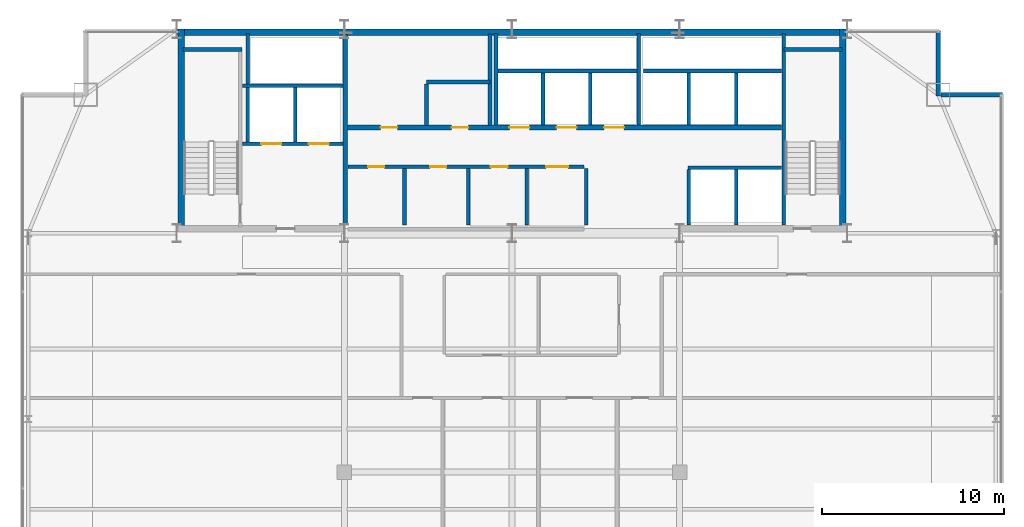
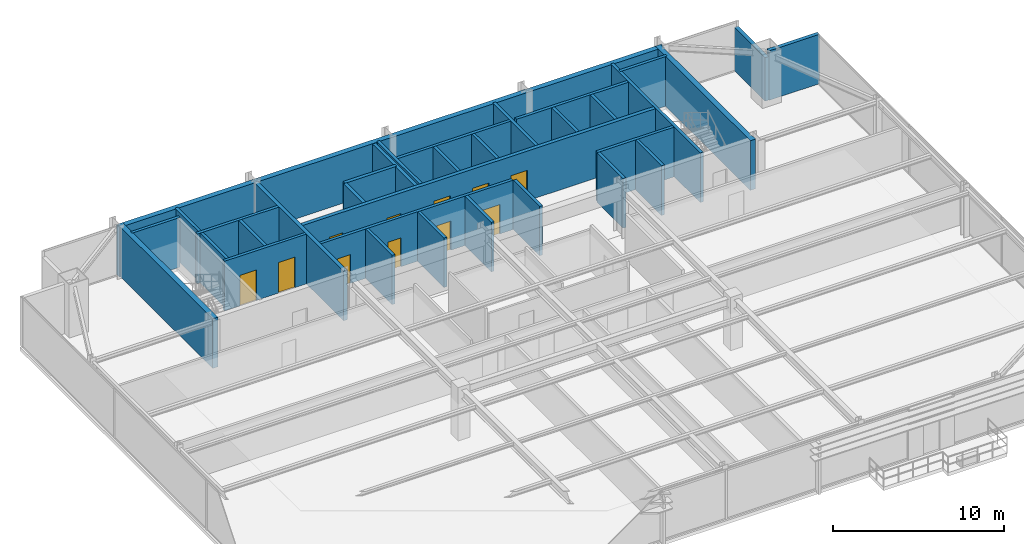
# One storey, part 28 of 31: 33 walls, 11 doors, 11 openings.
"""IFC4 building model written with IfcOpenShell, lengths in metres."""

from ifc_helpers import new_model, si_unit, direction, frame, frame_2d, origin, place, context, subcontext, project, spatial, rectangle, extrude, source, transform, mapped, material, layer, layer_set, type_object, type_shapes, element, fill, save


model = new_model("IFC4")

# Units and contexts
model_context = context("Model", 3, precision=1e-05, world=origin(), true_north=direction((0.0, 1.0)))
body_context = subcontext(model_context, "Body", "Model", "MODEL_VIEW")
ifc_project = project(units=[si_unit("LENGTHUNIT", "METRE"), si_unit("AREAUNIT", "SQUARE_METRE"), si_unit("VOLUMEUNIT", "CUBIC_METRE"), si_unit("PLANEANGLEUNIT", "RADIAN"), si_unit("MASSUNIT", "GRAM", prefix="KILO")], contexts=[model_context])

# Site, building, storey
site_placement = place(None, origin())
site = spatial("IfcSite", under=ifc_project, at=site_placement, CompositionType="ELEMENT")
building_placement = place(site_placement, origin())
building = spatial("IfcBuilding", under=site, at=building_placement, Name="Varnel Quay Broadcast Tower", CompositionType="ELEMENT")
storey_placement = place(building_placement, frame((0.0, 0.0, 157.199951171875)))
storey = spatial("IfcBuildingStorey", under=building, at=storey_placement, Name="L38", CompositionType="ELEMENT", Elevation=157.199951171875)

# Wall
ifc_material_1 = material(Name="Concrete CSA A23.3 C50/60", Category="concrete")
ifc_layer_1 = layer(ifc_material_1, 0.199951171875, Name="Concrete CSA A23.3 C50/60")
ifc_layer_set_1 = layer_set([ifc_layer_1], Name="Concrete CSA A23.3 C50/60")
wall_type_1 = type_object("IfcWallType", Name="Wall_CoreShaftShear200", PredefinedType="SHEAR", material=ifc_layer_set_1)
wall_1_placement = place(storey_placement, frame((15.949951171875, 45.679931640625, 0.0), z_axis=(0.0, 0.0, 1.0), x_axis=(1.0, 0.0, 0.0)))
element("IfcWall", 1, at=wall_1_placement, inside=storey, type_object=wall_type_1, Name="L38 Stair 1 North Structural Wall", PredefinedType="SHEAR", context=body_context, shape_type="SweptSolid", body=[
    extrude(rectangle(XDim=3.22998046875, YDim=0.199951171875, at=frame_2d((1.614990234375, 0.0))), origin(), (0.0, 0.0, 1.0), 3.550048828125),
])

# Wall, openings, doors
wall_2_placement = place(storey_placement, frame((19.199951171875, 40.5, 0.0), z_axis=(0.0, 0.0, 1.0), x_axis=(1.0, 0.0, 0.0)))
wall_2 = element("IfcWall", 2, at=wall_2_placement, inside=storey, type_object=wall_type_1, Name="L38 Firefighter Lift Shaft Front Wall", PredefinedType="SHEAR", context=body_context, shape_type="SweptSolid", body=[
    extrude(rectangle(XDim=5.52001953125, YDim=0.199951171875, at=frame_2d((2.760009765625, 0.0))), origin(), (0.0, 0.0, 1.0), 3.550048828125),
])
opening_1_placement = place(wall_2_placement, frame((1.050048828125, 0.0, 0.0)))
opening_1 = element("IfcOpeningElement", 3, at=opening_1_placement, cuts=wall_2, Name="Opening LD-L38-FE1", PredefinedType="OPENING", context=body_context, shape_type="SweptSolid", body=[
    extrude(rectangle(XDim=1.10009765625, YDim=2.179931640625, at=frame_2d((0.550048828125, 1.08984375))), frame((0.0, 0.10986328125, 0.0), z_axis=(0.0, -1.0, 0.0), x_axis=(1.0, 0.0, 0.0)), (0.0, 0.0, 1.0), 0.219970703125),
])
opening_2_placement = place(wall_2_placement, frame((3.64990234375, 0.0, 0.0)))
opening_2 = element("IfcOpeningElement", 4, at=opening_2_placement, cuts=wall_2, Name="Opening LD-L38-FE2", PredefinedType="OPENING", context=body_context, shape_type="SweptSolid", body=[
    extrude(rectangle(XDim=1.10009765625, YDim=2.179931640625, at=frame_2d((0.550048828125, 1.08984375))), frame((0.0, 0.10986328125, 0.0), z_axis=(0.0, -1.0, 0.0), x_axis=(1.0, 0.0, 0.0)), (0.0, 0.0, 1.0), 0.219970703125),
])
ifc_material_2 = material(Name="Brushed Bronze-Stainless Lift Car & Sliding Doors", Category="steel")
door_type_1 = type_object("IfcDoorType", Name="Door_LiftLanding1100", OperationType="SLIDING_TO_LEFT", PredefinedType="DOOR", material=ifc_material_2)
shared_shape_1 = source(origin(), body_context, "Body", "SweptSolid", [
    extrude(rectangle(XDim=1.10009765625, YDim=2.179931640625, at=frame_2d((0.550048828125, 1.08984375))), frame((0.0, 0.02490234375, 0.0), z_axis=(0.0, -1.0, 0.0), x_axis=(1.0, 0.0, 0.0)), (0.0, 0.0, 1.0), 0.050048828125),
])
type_shapes(door_type_1, [shared_shape_1])
door_1_placement = place(opening_1_placement, frame((1.10009765625, 0.0, 0.0), z_axis=(0.0, 0.0, 1.0), x_axis=(-1.0, 0.0, 0.0)))
door_1 = element("IfcDoor", 5, at=door_1_placement, inside=storey, type_object=door_type_1, Name="L38 Firefighter Lift FE-01 Landing Door", OperationType="SLIDING_TO_LEFT", OverallHeight=2.179931640625, OverallWidth=1.10009765625, PredefinedType="DOOR", context=body_context, shape_type="MappedRepresentation", body=[
    mapped(shared_shape_1, transform((0.0, 0.0, 0.0), x_axis=(1.0, 0.0, 0.0), y_axis=(0.0, 1.0, 0.0), z_axis=(0.0, 0.0, 1.0), scale=1.0)),
])
fill(opening_1, door_1)
door_2_placement = place(opening_2_placement, frame((1.10009765625, 0.0, 0.0), z_axis=(0.0, 0.0, 1.0), x_axis=(-1.0, 0.0, 0.0)))
door_2 = element("IfcDoor", 6, at=door_2_placement, inside=storey, type_object=door_type_1, Name="L38 Firefighter Lift FE-02 Landing Door", OperationType="SLIDING_TO_RIGHT", OverallHeight=2.179931640625, OverallWidth=1.10009765625, PredefinedType="DOOR", context=body_context, shape_type="MappedRepresentation", body=[
    mapped(shared_shape_1, transform((0.0, 0.0, 0.0), x_axis=(1.0, 0.0, 0.0), y_axis=(0.0, 1.0, 0.0), z_axis=(0.0, 0.0, 1.0), scale=1.0)),
])
fill(opening_2, door_2)

# Walls
wall_3_placement = place(storey_placement, frame((19.199951171875, 43.699951171875, 0.0), z_axis=(0.0, 0.0, 1.0), x_axis=(1.0, 0.0, 0.0)))
element("IfcWall", 7, at=wall_3_placement, inside=storey, type_object=wall_type_1, Name="L38 Firefighter Lift Shaft Rear Wall", PredefinedType="SHEAR", context=body_context, shape_type="SweptSolid", body=[
    extrude(rectangle(XDim=5.52001953125, YDim=0.199951171875, at=frame_2d((2.760009765625, 0.0))), origin(), (0.0, 0.0, 1.0), 3.550048828125),
])
wall_4_placement = place(storey_placement, frame((22.10009765625, 40.60009765625, 0.0), z_axis=(0.0, 0.0, 1.0), x_axis=(0.0, 1.0, 0.0)))
element("IfcWall", 8, at=wall_4_placement, inside=storey, type_object=wall_type_1, Name="L38 Firefighter Lift Shaft Divider", PredefinedType="SHEAR", context=body_context, shape_type="SweptSolid", body=[
    extrude(rectangle(XDim=3.0, YDim=0.199951171875, at=frame_2d((1.5, 0.0))), origin(), (0.0, 0.0, 1.0), 3.550048828125),
])
wall_5_placement = place(storey_placement, frame((19.5, 40.60009765625, 0.0), z_axis=(0.0, 0.0, 1.0), x_axis=(0.0, 1.0, 0.0)))
element("IfcWall", 9, at=wall_5_placement, inside=storey, type_object=wall_type_1, Name="L38 Firefighter Lift Shaft West Wall", PredefinedType="SHEAR", context=body_context, shape_type="SweptSolid", body=[
    extrude(rectangle(XDim=5.949951171875, YDim=0.199951171875, at=frame_2d((2.97509765625, 0.0))), origin(), (0.0, 0.0, 1.0), 3.550048828125),
])
wall_6_placement = place(storey_placement, frame((48.919921875, 36.050048828125, 0.0), z_axis=(0.0, 0.0, 1.0), x_axis=(0.0, 1.0, 0.0)))
element("IfcWall", 10, at=wall_6_placement, inside=storey, type_object=wall_type_1, Name="L38 Stair 2 West Structural Wall", PredefinedType="SHEAR", context=body_context, shape_type="SweptSolid", body=[
    extrude(rectangle(XDim=10.5, YDim=0.199951171875, at=frame_2d((5.25, 0.0))), origin(), (0.0, 0.0, 1.0), 3.550048828125),
])
wall_7_placement = place(storey_placement, frame((48.919921875, 45.679931640625, 0.0), z_axis=(0.0, 0.0, 1.0), x_axis=(1.0, 0.0, 0.0)))
element("IfcWall", 11, at=wall_7_placement, inside=storey, type_object=wall_type_1, Name="L38 Stair 2 North Structural Wall", PredefinedType="SHEAR", context=body_context, shape_type="SweptSolid", body=[
    extrude(rectangle(XDim=3.18017578125, YDim=0.199951171875, at=frame_2d((1.590087890625, 0.0))), origin(), (0.0, 0.0, 1.0), 3.550048828125),
])
wall_8_placement = place(storey_placement, frame((33.219970703125, 44.5, 0.0), z_axis=(0.0, 0.0, 1.0), x_axis=(1.0, 0.0, 0.0)))
element("IfcWall", 12, at=wall_8_placement, inside=storey, type_object=wall_type_1, Name="L38 Mid-Rise Lift Shaft Rear Wall", PredefinedType="SHEAR", context=body_context, shape_type="SweptSolid", body=[
    extrude(rectangle(XDim=7.630126953125, YDim=0.199951171875, at=frame_2d((3.81494140625, 0.0))), origin(), (0.0, 0.0, 1.0), 3.550048828125),
])
wall_9_placement = place(storey_placement, frame((33.1201171875, 41.530029296875, 0.0), z_axis=(0.0, 0.0, 1.0), x_axis=(0.0, 1.0, 0.0)))
element("IfcWall", 13, at=wall_9_placement, inside=storey, type_object=wall_type_1, Name="L38 Mid-Rise Lift Shaft Divider 1", PredefinedType="SHEAR", context=body_context, shape_type="SweptSolid", body=[
    extrude(rectangle(XDim=5.02001953125, YDim=0.199951171875, at=frame_2d((2.510009765625, 0.0))), origin(), (0.0, 0.0, 1.0), 3.550048828125),
])
for number, where, z_axis, x_axis, name in (
    (14, (35.699951171875, 41.530029296875, 0.0), (0.0, 0.0, 1.0), (0.0, 1.0, 0.0), "L38 Mid-Rise Lift Shaft Divider 2"),
    (15, (38.300048828125, 41.530029296875, 0.0), (0.0, 0.0, 1.0), (0.0, 1.0, 0.0), "L38 Mid-Rise Lift Shaft Divider 3"),
):
    element("IfcWall", number, at=place(storey_placement, frame(where, z_axis=z_axis, x_axis=x_axis)), inside=storey, type_object=wall_type_1, Name=name, PredefinedType="SHEAR", context=body_context, shape_type="SweptSolid", body=[
        extrude(rectangle(XDim=2.869873046875, YDim=0.199951171875, at=frame_2d((1.43505859375, 0.0))), origin(), (0.0, 0.0, 1.0), 3.550048828125),
    ])
wall_10_placement = place(storey_placement, frame((40.949951171875, 41.530029296875, 0.0), z_axis=(0.0, 0.0, 1.0), x_axis=(0.0, 1.0, 0.0)))
element("IfcWall", 16, at=wall_10_placement, inside=storey, type_object=wall_type_1, Name="L38 Mid-Rise Lift Shaft Divider 4", PredefinedType="SHEAR", context=body_context, shape_type="SweptSolid", body=[
    extrude(rectangle(XDim=5.02001953125, YDim=0.199951171875, at=frame_2d((2.510009765625, 0.0))), origin(), (0.0, 0.0, 1.0), 3.550048828125),
])
wall_11_placement = place(storey_placement, frame((41.219970703125, 44.5, 0.0), z_axis=(0.0, 0.0, 1.0), x_axis=(1.0, 0.0, 0.0)))
element("IfcWall", 17, at=wall_11_placement, inside=storey, type_object=wall_type_1, Name="L38 High-Rise Lift Shaft Rear Wall", PredefinedType="SHEAR", context=body_context, shape_type="SweptSolid", body=[
    extrude(rectangle(XDim=7.580078125, YDim=0.199951171875, at=frame_2d((3.7900390625, 0.0))), origin(), (0.0, 0.0, 1.0), 3.550048828125),
])
for number, where, z_axis, x_axis, name in (
    (18, (43.699951171875, 41.530029296875, 0.0), (0.0, 0.0, 1.0), (0.0, 1.0, 0.0), "L38 High-Rise Lift Shaft Divider 2"),
    (19, (46.300048828125, 41.530029296875, 0.0), (0.0, 0.0, 1.0), (0.0, 1.0, 0.0), "L38 High-Rise Lift Shaft Divider 3"),
):
    element("IfcWall", number, at=place(storey_placement, frame(where, z_axis=z_axis, x_axis=x_axis)), inside=storey, type_object=wall_type_1, Name=name, PredefinedType="SHEAR", context=body_context, shape_type="SweptSolid", body=[
        extrude(rectangle(XDim=2.869873046875, YDim=0.199951171875, at=frame_2d((1.43505859375, 0.0))), origin(), (0.0, 0.0, 1.0), 3.550048828125),
    ])
for number, where, z_axis, x_axis, name in (
    (20, (43.699951171875, 36.050048828125, 0.0), (0.0, 0.0, 1.0), (0.0, 1.0, 0.0), "L38 Express Lift Shaft West Wall"),
    (21, (46.300048828125, 36.050048828125, 0.0), (0.0, 0.0, 1.0), (0.0, 1.0, 0.0), "L38 Express Lift Shaft Divider"),
):
    element("IfcWall", number, at=place(storey_placement, frame(where, z_axis=z_axis, x_axis=x_axis)), inside=storey, type_object=wall_type_1, Name=name, PredefinedType="SHEAR", context=body_context, shape_type="SweptSolid", body=[
        extrude(rectangle(XDim=3.050048828125, YDim=0.199951171875, at=frame_2d((1.52490234375, 0.0))), origin(), (0.0, 0.0, 1.0), 3.550048828125),
    ])
wall_12_placement = place(storey_placement, frame((43.64990234375, 39.199951171875, 0.0), z_axis=(0.0, 0.0, 1.0), x_axis=(1.0, 0.0, 0.0)))
element("IfcWall", 22, at=wall_12_placement, inside=storey, type_object=wall_type_1, Name="L38 Express Lift Shaft North Front Wall", PredefinedType="SHEAR", context=body_context, shape_type="SweptSolid", body=[
    extrude(rectangle(XDim=5.150146484375, YDim=0.199951171875, at=frame_2d((2.5751953125, 0.0))), origin(), (0.0, 0.0, 1.0), 3.550048828125),
])
ifc_layer_2 = layer(ifc_material_1, 0.25, Name="Concrete CSA A23.3 C50/60")
ifc_layer_set_2 = layer_set([ifc_layer_2], Name="Concrete CSA A23.3 C50/60")
wall_type_2 = type_object("IfcWallType", Name="Wall_CoreShaftShear250", PredefinedType="SHEAR", material=ifc_layer_set_2)
wall_13_placement = place(storey_placement, frame((24.85009765625, 36.050048828125, 0.0), z_axis=(0.0, 0.0, 1.0), x_axis=(0.0, 1.0, 0.0)))
element("IfcWall", 23, at=wall_13_placement, inside=storey, type_object=wall_type_2, Name="L38 Firefighting Lobby East Structural Wall", PredefinedType="SHEAR", context=body_context, shape_type="SweptSolid", body=[
    extrude(rectangle(XDim=10.449951171875, YDim=0.25, at=frame_2d((5.22509765625, 0.0))), origin(), (0.0, 0.0, 1.0), 3.550048828125),
])

# Wall, openings, doors
wall_14_placement = place(storey_placement, frame((24.97998046875, 41.39990234375, 0.0), z_axis=(0.0, 0.0, 1.0), x_axis=(1.0, 0.0, 0.0)))
wall_14 = element("IfcWall", 24, at=wall_14_placement, inside=storey, type_object=wall_type_2, Name="L38 North Lift Bank & Reclaimed Suite Wall", PredefinedType="SHEAR", context=body_context, shape_type="SweptSolid", body=[
    extrude(rectangle(XDim=23.820068359375, YDim=0.25, at=frame_2d((11.91015625, 0.0))), origin(), (0.0, 0.0, 1.0), 3.550048828125),
])
opening_3_placement = place(wall_14_placement, frame((8.8701171875, 0.0, 0.0)))
opening_3 = element("IfcOpeningElement", 25, at=opening_3_placement, cuts=wall_14, Name="Opening LD-L38-PM-01", PredefinedType="OPENING", context=body_context, shape_type="SweptSolid", body=[
    extrude(rectangle(XDim=1.10009765625, YDim=2.179931640625, at=frame_2d((0.550048828125, 1.08984375))), frame((0.0, 0.135009765625, 0.0), z_axis=(0.0, -1.0, 0.0), x_axis=(1.0, 0.0, 0.0)), (0.0, 0.0, 1.0), 0.27001953125),
])
opening_4_placement = place(wall_14_placement, frame((11.469970703125, 0.0, 0.0)))
opening_4 = element("IfcOpeningElement", 26, at=opening_4_placement, cuts=wall_14, Name="Opening LD-L38-PM-02", PredefinedType="OPENING", context=body_context, shape_type="SweptSolid", body=[
    extrude(rectangle(XDim=1.10009765625, YDim=2.179931640625, at=frame_2d((0.550048828125, 1.08984375))), frame((0.0, 0.135009765625, 0.0), z_axis=(0.0, -1.0, 0.0), x_axis=(1.0, 0.0, 0.0)), (0.0, 0.0, 1.0), 0.27001953125),
])
opening_5_placement = place(wall_14_placement, frame((14.070068359375, 0.0, 0.0)))
opening_5 = element("IfcOpeningElement", 27, at=opening_5_placement, cuts=wall_14, Name="Opening LD-L38-PM-03", PredefinedType="OPENING", context=body_context, shape_type="SweptSolid", body=[
    extrude(rectangle(XDim=1.10009765625, YDim=2.179931640625, at=frame_2d((0.550048828125, 1.08984375))), frame((0.0, 0.135009765625, 0.0), z_axis=(0.0, -1.0, 0.0), x_axis=(1.0, 0.0, 0.0)), (0.0, 0.0, 1.0), 0.27001953125),
])
opening_6_placement = place(wall_14_placement, frame((1.81005859375, 0.0, 0.0)))
opening_6 = element("IfcOpeningElement", 28, at=opening_6_placement, cuts=wall_14, Name="Opening D-L38-RECA1", PredefinedType="OPENING", context=body_context, shape_type="SweptSolid", body=[
    extrude(rectangle(XDim=0.919921875, YDim=2.080078125, at=frame_2d((0.4599609375, 1.0400390625))), frame((0.0, 0.135009765625, 0.0), z_axis=(0.0, -1.0, 0.0), x_axis=(1.0, 0.0, 0.0)), (0.0, 0.0, 1.0), 0.27001953125),
])
opening_7_placement = place(wall_14_placement, frame((5.7099609375, 0.0, 0.0)))
opening_7 = element("IfcOpeningElement", 29, at=opening_7_placement, cuts=wall_14, Name="Opening D-L38-RECA2", PredefinedType="OPENING", context=body_context, shape_type="SweptSolid", body=[
    extrude(rectangle(XDim=0.919921875, YDim=2.080078125, at=frame_2d((0.4599609375, 1.0400390625))), frame((0.0, 0.135009765625, 0.0), z_axis=(0.0, -1.0, 0.0), x_axis=(1.0, 0.0, 0.0)), (0.0, 0.0, 1.0), 0.27001953125),
])
door_3_placement = place(opening_3_placement, frame((1.10009765625, 0.0, 0.0), z_axis=(0.0, 0.0, 1.0), x_axis=(-1.0, 0.0, 0.0)))
door_3 = element("IfcDoor", 30, at=door_3_placement, inside=storey, type_object=door_type_1, Name="L38 Lift PM-01 Landing Door", OperationType="SLIDING_TO_LEFT", OverallHeight=2.179931640625, OverallWidth=1.10009765625, PredefinedType="DOOR", context=body_context, shape_type="MappedRepresentation", body=[
    mapped(shared_shape_1, transform((0.0, 0.0, 0.0), x_axis=(1.0, 0.0, 0.0), y_axis=(0.0, 1.0, 0.0), z_axis=(0.0, 0.0, 1.0), scale=1.0)),
])
fill(opening_3, door_3)
door_4_placement = place(opening_4_placement, frame((1.10009765625, 0.0, 0.0), z_axis=(0.0, 0.0, 1.0), x_axis=(-1.0, 0.0, 0.0)))
door_4 = element("IfcDoor", 31, at=door_4_placement, inside=storey, type_object=door_type_1, Name="L38 Lift PM-02 Landing Door", OperationType="SLIDING_TO_LEFT", OverallHeight=2.179931640625, OverallWidth=1.10009765625, PredefinedType="DOOR", context=body_context, shape_type="MappedRepresentation", body=[
    mapped(shared_shape_1, transform((0.0, 0.0, 0.0), x_axis=(1.0, 0.0, 0.0), y_axis=(0.0, 1.0, 0.0), z_axis=(0.0, 0.0, 1.0), scale=1.0)),
])
fill(opening_4, door_4)
door_5_placement = place(opening_5_placement, frame((1.10009765625, 0.0, 0.0), z_axis=(0.0, 0.0, 1.0), x_axis=(-1.0, 0.0, 0.0)))
door_5 = element("IfcDoor", 32, at=door_5_placement, inside=storey, type_object=door_type_1, Name="L38 Lift PM-03 Landing Door", OperationType="SLIDING_TO_LEFT", OverallHeight=2.179931640625, OverallWidth=1.10009765625, PredefinedType="DOOR", context=body_context, shape_type="MappedRepresentation", body=[
    mapped(shared_shape_1, transform((0.0, 0.0, 0.0), x_axis=(1.0, 0.0, 0.0), y_axis=(0.0, 1.0, 0.0), z_axis=(0.0, 0.0, 1.0), scale=1.0)),
])
fill(opening_5, door_5)
ifc_material_3 = material(Name="Solid-Core Fire-Rated Acoustic Oak Veneer Door", Category="wood")
door_type_2 = type_object("IfcDoorType", Name="Door_Office920", OperationType="NOTDEFINED", PredefinedType="DOOR", material=ifc_material_3)
shared_shape_2 = source(origin(), body_context, "Body", "SweptSolid", [
    extrude(rectangle(XDim=0.919921875, YDim=2.080078125, at=frame_2d((0.4599609375, 1.0400390625))), frame((0.0, 0.02490234375, 0.0), z_axis=(0.0, -1.0, 0.0), x_axis=(1.0, 0.0, 0.0)), (0.0, 0.0, 1.0), 0.050048828125),
])
type_shapes(door_type_2, [shared_shape_2])
door_6_placement = place(opening_6_placement, origin())
door_6 = element("IfcDoor", 33, at=door_6_placement, inside=storey, type_object=door_type_2, Name="L38 Signal Routing Suite Door", OperationType="SINGLE_SWING_LEFT", OverallHeight=2.080078125, OverallWidth=0.919921875, PredefinedType="DOOR", context=body_context, shape_type="MappedRepresentation", body=[
    mapped(shared_shape_2, transform((0.0, 0.0, 0.0), x_axis=(1.0, 0.0, 0.0), y_axis=(0.0, 1.0, 0.0), z_axis=(0.0, 0.0, 1.0), scale=1.0)),
])
fill(opening_6, door_6)
door_7_placement = place(opening_7_placement, origin())
door_7 = element("IfcDoor", 34, at=door_7_placement, inside=storey, type_object=door_type_2, Name="L38 Archive Media Store Door", OperationType="SINGLE_SWING_RIGHT", OverallHeight=2.080078125, OverallWidth=0.919921875, PredefinedType="DOOR", context=body_context, shape_type="MappedRepresentation", body=[
    mapped(shared_shape_2, transform((0.0, 0.0, 0.0), x_axis=(1.0, 0.0, 0.0), y_axis=(0.0, 1.0, 0.0), z_axis=(0.0, 0.0, 1.0), scale=1.0)),
])
fill(opening_7, door_7)

# Walls
ifc_layer_3 = layer(ifc_material_1, 0.35009765625, Name="Concrete CSA A23.3 C50/60")
ifc_layer_set_3 = layer_set([ifc_layer_3], Name="Concrete CSA A23.3 C50/60")
wall_type_3 = type_object("IfcWallType", Name="Wall_CoreShearExt350", PredefinedType="SHEAR", material=ifc_layer_set_3)
wall_15_placement = place(storey_placement, frame((15.60009765625, 46.625, 0.0), z_axis=(0.0, 0.0, 1.0), x_axis=(1.0, 0.0, 0.0)))
element("IfcWall", 35, at=wall_15_placement, inside=storey, type_object=wall_type_3, Name="L38 North Core Shear Wall", PredefinedType="SHEAR", context=body_context, shape_type="SweptSolid", body=[
    extrude(rectangle(XDim=36.7998046875, YDim=0.35009765625, at=frame_2d((18.39990234375, 0.0))), origin(), (0.0, 0.0, 1.0), 3.550048828125),
])
ifc_layer_4 = layer(ifc_material_1, 0.35009765625, Name="Concrete CSA A23.3 C50/60")
ifc_layer_set_4 = layer_set([ifc_layer_4], Name="Concrete CSA A23.3 C50/60")
wall_type_4 = type_object("IfcWallType", Name="Wall_CoreShearInt350", PredefinedType="SHEAR", material=ifc_layer_set_4)
for number, where, z_axis, x_axis, name in (
    (36, (15.844970703125, 35.669921875, 0.0), (0.0, 0.0, 1.0), (0.0, 1.0, 0.0), "L38 West Core Shear Wall"),
    (37, (52.155029296875, 35.669921875, 0.0), (0.0, 0.0, 1.0), (0.0, 1.0, 0.0), "L38 East Core Shear Wall"),
):
    element("IfcWall", number, at=place(storey_placement, frame(where, z_axis=z_axis, x_axis=x_axis)), inside=storey, type_object=wall_type_4, Name=name, PredefinedType="SHEAR", context=body_context, shape_type="SweptSolid", body=[
        extrude(rectangle(XDim=11.130126953125, YDim=0.35009765625, at=frame_2d((5.56494140625, 0.0))), origin(), (0.0, 0.0, 1.0), 3.550048828125),
    ])
ifc_material_4 = material(Name="Precast Architectural Concrete C40/50", Category="concrete")
ifc_layer_5 = layer(ifc_material_4, 0.25, Name="Precast Architectural Concrete C40/50")
ifc_layer_set_5 = layer_set([ifc_layer_5], Name="Precast Architectural Concrete C40/50")
wall_type_5 = type_object("IfcWallType", Name="Wall_ExtTerrace250", PredefinedType="SOLIDWALL", material=ifc_layer_set_5)
wall_16_placement = place(storey_placement, frame((57.530029296875, 43.199951171875, 0.0), z_axis=(0.0, 0.0, 1.0), x_axis=(1.0, 0.0, 0.0)))
element("IfcWall", 38, at=wall_16_placement, inside=storey, type_object=wall_type_5, Name="L38 Mega-Column Notch Cladding Wall NNE1", PredefinedType="SOLIDWALL", context=body_context, shape_type="SweptSolid", body=[
    extrude(rectangle(XDim=3.389892578125, YDim=0.25, at=frame_2d((1.69482421875, 0.0))), origin(), (0.0, 0.0, 1.0), 3.530029296875),
])
wall_17_placement = place(storey_placement, frame((57.39990234375, 43.1201171875, 0.0), z_axis=(0.0, 0.0, 1.0), x_axis=(0.0, 1.0, 0.0)))
element("IfcWall", 39, at=wall_17_placement, inside=storey, type_object=wall_type_5, Name="L38 Mega-Column Notch Cladding Wall NNE2", PredefinedType="SOLIDWALL", context=body_context, shape_type="SweptSolid", body=[
    extrude(rectangle(XDim=3.599853515625, YDim=0.25, at=frame_2d((1.7998046875, 0.0))), origin(), (0.0, 0.0, 1.0), 3.108154296875),
])

# Wall, openings, doors
ifc_material_5 = material(Name="Concrete Blockwork Fire Enclosure C40/50", Category="masonry")
ifc_layer_6 = layer(ifc_material_5, 0.199951171875, Name="Concrete Blockwork Fire Enclosure C40/50")
ifc_layer_set_6 = layer_set([ifc_layer_6], Name="Concrete Blockwork Fire Enclosure C40/50")
wall_type_6 = type_object("IfcWallType", Name="Wall_FireShaft200", PredefinedType="SOLIDWALL", material=ifc_layer_set_6)
wall_18_placement = place(storey_placement, frame((25.0, 39.25, 0.0), z_axis=(0.0, 0.0, 1.0), x_axis=(1.0, 0.0, 0.0)))
wall_18 = element("IfcWall", 40, at=wall_18_placement, inside=storey, type_object=wall_type_6, Name="L38 Accessible Universal Washroom Partition 3", PredefinedType="SOLIDWALL", context=body_context, shape_type="SweptSolid", body=[
    extrude(rectangle(XDim=12.949951171875, YDim=0.199951171875, at=frame_2d((6.47509765625, 0.0))), origin(), (0.0, 0.0, 1.0), 3.530029296875),
])
opening_8_placement = place(wall_18_placement, frame((1.10009765625, 0.0, 0.0)))
opening_8 = element("IfcOpeningElement", 41, at=opening_8_placement, cuts=wall_18, Name="Opening D-L38-01", PredefinedType="OPENING", context=body_context, shape_type="SweptSolid", body=[
    extrude(rectangle(XDim=0.89990234375, YDim=2.06005859375, at=frame_2d((0.449951171875, 1.030029296875))), frame((0.0, 0.10986328125, 0.0), z_axis=(0.0, -1.0, 0.0), x_axis=(1.0, 0.0, 0.0)), (0.0, 0.0, 1.0), 0.219970703125),
])
opening_9_placement = place(wall_18_placement, frame((4.5, 0.0, 0.0)))
opening_9 = element("IfcOpeningElement", 42, at=opening_9_placement, cuts=wall_18, Name="Opening D-L38-02", PredefinedType="OPENING", context=body_context, shape_type="SweptSolid", body=[
    extrude(rectangle(XDim=0.89990234375, YDim=2.06005859375, at=frame_2d((0.449951171875, 1.030029296875))), frame((0.0, 0.10986328125, 0.0), z_axis=(0.0, -1.0, 0.0), x_axis=(1.0, 0.0, 0.0)), (0.0, 0.0, 1.0), 0.219970703125),
])
opening_10_placement = place(wall_18_placement, frame((7.840087890625, 0.0, 0.0)))
opening_10 = element("IfcOpeningElement", 43, at=opening_10_placement, cuts=wall_18, Name="Opening D-L38-03", PredefinedType="OPENING", context=body_context, shape_type="SweptSolid", body=[
    extrude(rectangle(XDim=0.919921875, YDim=2.080078125, at=frame_2d((0.4599609375, 1.0400390625))), frame((0.0, 0.10986328125, 0.0), z_axis=(0.0, -1.0, 0.0), x_axis=(1.0, 0.0, 0.0)), (0.0, 0.0, 1.0), 0.219970703125),
])
opening_11_placement = place(wall_18_placement, frame((10.875, 0.0, 0.0)))
opening_11 = element("IfcOpeningElement", 44, at=opening_11_placement, cuts=wall_18, Name="Opening D-L38-04", PredefinedType="OPENING", context=body_context, shape_type="SweptSolid", body=[
    extrude(rectangle(XDim=1.199951171875, YDim=2.10009765625, at=frame_2d((0.60009765625, 1.050048828125))), frame((0.0, 0.10986328125, 0.0), z_axis=(0.0, -1.0, 0.0), x_axis=(1.0, 0.0, 0.0)), (0.0, 0.0, 1.0), 0.219970703125),
])
door_type_3 = type_object("IfcDoorType", Name="Door_Washroom900", OperationType="NOTDEFINED", PredefinedType="DOOR", material=ifc_material_3)
shared_shape_3 = source(origin(), body_context, "Body", "SweptSolid", [
    extrude(rectangle(XDim=0.89990234375, YDim=2.06005859375, at=frame_2d((0.449951171875, 1.030029296875))), frame((0.0, 0.02490234375, 0.0), z_axis=(0.0, -1.0, 0.0), x_axis=(1.0, 0.0, 0.0)), (0.0, 0.0, 1.0), 0.050048828125),
])
type_shapes(door_type_3, [shared_shape_3])
door_8_placement = place(opening_8_placement, frame((0.89990234375, 0.0, 0.0), z_axis=(0.0, 0.0, 1.0), x_axis=(-1.0, 0.0, 0.0)))
door_8 = element("IfcDoor", 45, at=door_8_placement, inside=storey, type_object=door_type_3, Name="L38 Accessible Universal Washroom Door D-L38-01", OperationType="SINGLE_SWING_LEFT", OverallHeight=2.06005859375, OverallWidth=0.89990234375, PredefinedType="DOOR", context=body_context, shape_type="MappedRepresentation", body=[
    mapped(shared_shape_3, transform((0.0, 0.0, 0.0), x_axis=(1.0, 0.0, 0.0), y_axis=(0.0, 1.0, 0.0), z_axis=(0.0, 0.0, 1.0), scale=1.0)),
])
fill(opening_8, door_8)
door_9_placement = place(opening_9_placement, frame((0.89990234375, 0.0, 0.0), z_axis=(0.0, 0.0, 1.0), x_axis=(-1.0, 0.0, 0.0)))
door_9 = element("IfcDoor", 46, at=door_9_placement, inside=storey, type_object=door_type_3, Name="L38 Staff Washroom Block Door D-L38-02", OperationType="SINGLE_SWING_RIGHT", OverallHeight=2.06005859375, OverallWidth=0.89990234375, PredefinedType="DOOR", context=body_context, shape_type="MappedRepresentation", body=[
    mapped(shared_shape_3, transform((0.0, 0.0, 0.0), x_axis=(1.0, 0.0, 0.0), y_axis=(0.0, 1.0, 0.0), z_axis=(0.0, 0.0, 1.0), scale=1.0)),
])
fill(opening_9, door_9)
ifc_material_6 = material(Name="Insulated Fire-Rated Hollow Steel Door", Category="steel")
door_type_4 = type_object("IfcDoorType", Name="Door_Plant1200", OperationType="NOTDEFINED", PredefinedType="DOOR", material=ifc_material_6)
shared_shape_4 = source(origin(), body_context, "Body", "SweptSolid", [
    extrude(rectangle(XDim=1.199951171875, YDim=2.10009765625, at=frame_2d((0.60009765625, 1.050048828125))), frame((0.0, 0.02490234375, 0.0), z_axis=(0.0, -1.0, 0.0), x_axis=(1.0, 0.0, 0.0)), (0.0, 0.0, 1.0), 0.050048828125),
])
type_shapes(door_type_4, [shared_shape_4])
door_10_placement = place(opening_11_placement, origin())
door_10 = element("IfcDoor", 47, at=door_10_placement, inside=storey, type_object=door_type_4, Name="L38 Zone Lighting Dimmer Room Door D-L38-04", OperationType="SINGLE_SWING_RIGHT", OverallHeight=2.10009765625, OverallWidth=1.199951171875, PredefinedType="DOOR", context=body_context, shape_type="MappedRepresentation", body=[
    mapped(shared_shape_4, transform((0.0, 0.0, 0.0), x_axis=(1.0, 0.0, 0.0), y_axis=(0.0, 1.0, 0.0), z_axis=(0.0, 0.0, 1.0), scale=1.0)),
])
fill(opening_11, door_10)
door_11_placement = place(opening_10_placement, frame((0.919921875, 0.0, 0.0), z_axis=(0.0, 0.0, 1.0), x_axis=(-1.0, 0.0, 0.0)))
door_11 = element("IfcDoor", 48, at=door_11_placement, inside=storey, type_object=door_type_2, Name="L38 Broadcast First-Aid & Quiet Room Door D-L38-03", OperationType="SINGLE_SWING_LEFT", OverallHeight=2.080078125, OverallWidth=0.919921875, PredefinedType="DOOR", context=body_context, shape_type="MappedRepresentation", body=[
    mapped(shared_shape_2, transform((0.0, 0.0, 0.0), x_axis=(1.0, 0.0, 0.0), y_axis=(0.0, 1.0, 0.0), z_axis=(0.0, 0.0, 1.0), scale=1.0)),
])
fill(opening_10, door_11)

# Walls
for number, where, z_axis, x_axis, name in (
    (49, (34.800048828125, 36.050048828125, 0.0), (0.0, 0.0, 1.0), (0.0, 1.0, 0.0), "L38 Broadcast First-Aid & Quiet Room Partition 5"),
    (50, (38.074951171875, 36.050048828125, 0.0), (0.0, 0.0, 1.0), (0.0, 1.0, 0.0), "L38 Zone Lighting Dimmer Room Partition 6"),
):
    element("IfcWall", number, at=place(storey_placement, frame(where, z_axis=z_axis, x_axis=x_axis)), inside=storey, type_object=wall_type_6, Name=name, PredefinedType="SOLIDWALL", context=body_context, shape_type="SweptSolid", body=[
        extrude(rectangle(XDim=3.099853515625, YDim=0.199951171875, at=frame_2d((1.5498046875, 0.0))), origin(), (0.0, 0.0, 1.0), 3.530029296875),
    ])
ifc_material_7 = material(Name="Steel-Stud Fire-Rated Acoustic Gypsum Partition Assembly", Category="steel")
ifc_layer_7 = layer(ifc_material_7, 0.22509765625, Name="Steel-Stud Fire-Rated Acoustic Gypsum Partition Assembly")
ifc_layer_set_7 = layer_set([ifc_layer_7], Name="Steel-Stud Fire-Rated Acoustic Gypsum Partition Assembly")
wall_type_7 = type_object("IfcWallType", Name="Wall_Partition225", PredefinedType="PARTITIONING", material=ifc_layer_set_7)
wall_19_placement = place(storey_placement, frame((29.300048828125, 41.5, 0.0), z_axis=(0.0, 0.0, 1.0), x_axis=(0.0, 1.0, 0.0)))
element("IfcWall", 51, at=wall_19_placement, inside=storey, type_object=wall_type_7, Name="L38 Signal Routing Suite Partition 20", PredefinedType="PARTITIONING", context=body_context, shape_type="SweptSolid", body=[
    extrude(rectangle(XDim=2.2880859375, YDim=0.22509765625, at=frame_2d((1.14404296875, 0.0))), origin(), (0.0, 0.0, 1.0), 3.530029296875),
])
wall_20_placement = place(storey_placement, frame((29.300048828125, 43.89990234375, 0.0), z_axis=(0.0, 0.0, 1.0), x_axis=(1.0, 0.0, 0.0)))
element("IfcWall", 52, at=wall_20_placement, inside=storey, type_object=wall_type_7, Name="L38 Signal Routing Suite Partition 21", PredefinedType="PARTITIONING", context=body_context, shape_type="SweptSolid", body=[
    extrude(rectangle(XDim=3.5, YDim=0.22509765625, at=frame_2d((1.75, 0.0))), origin(), (0.0, 0.0, 1.0), 3.530029296875),
])
wall_21_placement = place(storey_placement, frame((32.800048828125, 41.5, 0.0), z_axis=(0.0, 0.0, 1.0), x_axis=(0.0, 1.0, 0.0)))
element("IfcWall", 53, at=wall_21_placement, inside=storey, type_object=wall_type_7, Name="L38 Signal Routing Suite Partition 22", PredefinedType="PARTITIONING", context=body_context, shape_type="SweptSolid", body=[
    extrude(rectangle(XDim=5.02001953125, YDim=0.22509765625, at=frame_2d((2.510009765625, 0.0))), origin(), (0.0, 0.0, 1.0), 3.530029296875),
])
ifc_material_8 = material(Name="Fire-Rated Moisture-Resistant Plumbing Chase Partition")
ifc_layer_8 = layer(ifc_material_8, 0.199951171875, Name="Fire-Rated Moisture-Resistant Plumbing Chase Partition")
ifc_layer_set_8 = layer_set([ifc_layer_8], Name="Fire-Rated Moisture-Resistant Plumbing Chase Partition")
wall_type_8 = type_object("IfcWallType", Name="Wall_Plumbing200", PredefinedType="PLUMBINGWALL", material=ifc_layer_set_8)
for number, where, z_axis, x_axis, name in (
    (54, (28.10009765625, 36.050048828125, 0.0), (0.0, 0.0, 1.0), (0.0, 1.0, 0.0), "L38 Accessible Universal Washroom Partition 2"),
    (55, (31.60009765625, 36.050048828125, 0.0), (0.0, 0.0, 1.0), (0.0, 1.0, 0.0), "L38 Staff Washroom Block Partition 4"),
):
    element("IfcWall", number, at=place(storey_placement, frame(where, z_axis=z_axis, x_axis=x_axis)), inside=storey, type_object=wall_type_8, Name=name, PredefinedType="PLUMBINGWALL", context=body_context, shape_type="SweptSolid", body=[
        extrude(rectangle(XDim=3.099853515625, YDim=0.199951171875, at=frame_2d((1.5498046875, 0.0))), origin(), (0.0, 0.0, 1.0), 3.530029296875),
    ])

save(model, "model.ifc")
